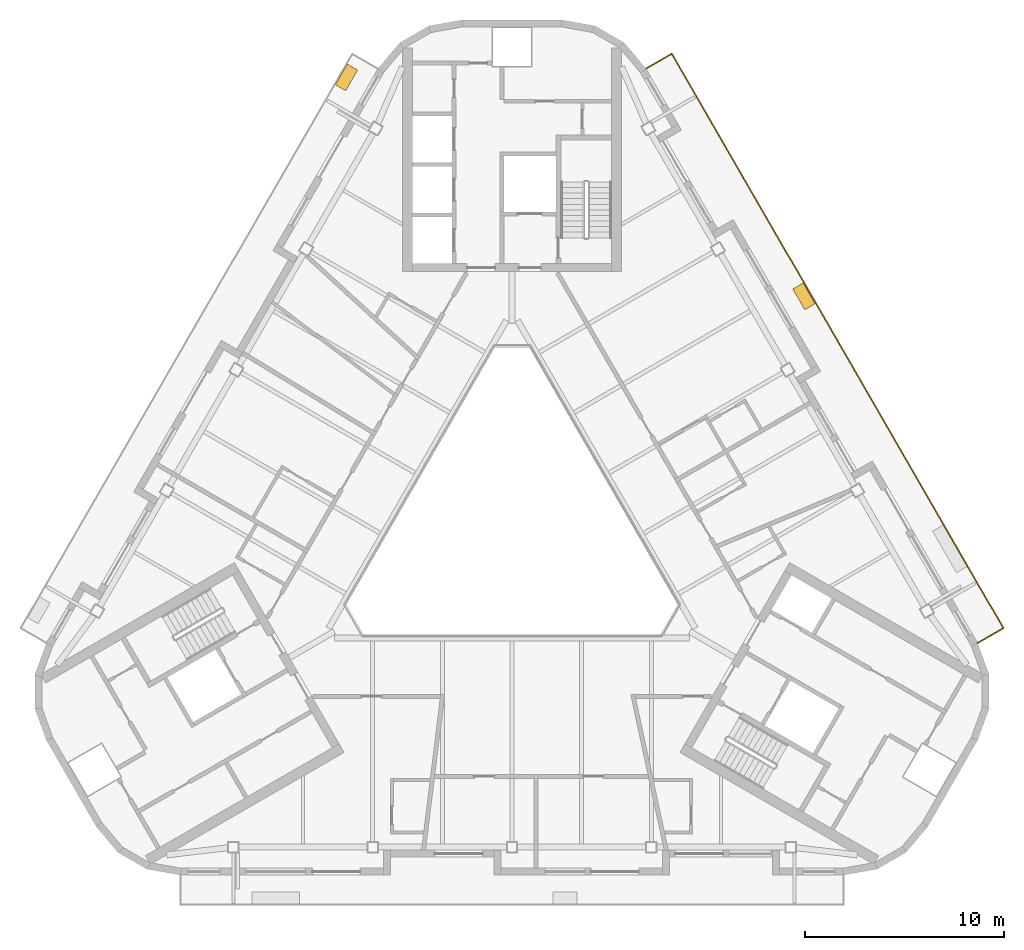
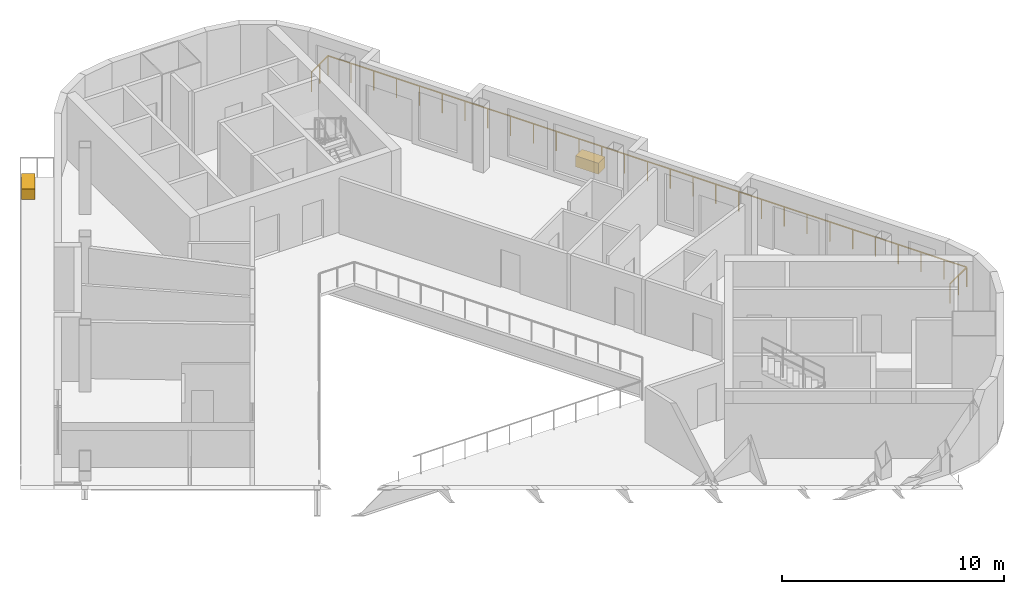
# One storey, part 11 of 12: 2 coverings, 1 railing.
"""IFC4 building model written with IfcOpenShell, lengths in metres."""

import ifcopenshell
import ifcopenshell.guid

model = None  # the IFC model being written
_history = None  # IfcOwnerHistory: only IFC2X3 demands one
_inside = {}  # id of a spatial element -> (the spatial element, [elements in it])
_under = {}  # id of a project, library or spatial element -> (it, [spatial elements below it])
_declared = {}  # id of a project -> (the project, [libraries it declares])
_typed = {}  # id of a type object -> (the type object, [elements of that type])
_made_of = {}  # id of a material, layer set ... -> (it, [elements and type objects made of it])


def new_model(schema):
    """Start an empty IFC model of exactly this schema.

    Asked for "IFC4X3", IfcOpenShell would pick the latest addendum, in which some entities
    have other attributes; the version numbers below select the first issue.
    IFC2X3 requires an IfcOwnerHistory on every rooted entity: one is made here for all.
    """
    global model, _history
    if schema == "IFC4X3":
        model = ifcopenshell.file(schema_version=(4, 3, 0, 0))
    else:
        model = ifcopenshell.file(schema=schema)
    _inside.clear()
    _under.clear()
    _declared.clear()
    _typed.clear()
    _made_of.clear()
    _history = None
    if model.schema == "IFC2X3":
        org = make("IfcOrganization", Name="unknown")
        user = make(
            "IfcPersonAndOrganization",
            ThePerson=make("IfcPerson", FamilyName="unknown"),
            TheOrganization=org,
        )
        app = make(
            "IfcApplication",
            ApplicationDeveloper=org,
            Version="unknown",
            ApplicationFullName="unknown",
            ApplicationIdentifier="unknown",
        )
        _history = make(
            "IfcOwnerHistory",
            OwningUser=user,
            OwningApplication=app,
            ChangeAction="ADDED",
            CreationDate=0,
        )
    return model


def make(cls, **values):
    """One entity of the class cls with the attributes given. An attribute that is None is left unset."""
    return model.create_entity(
        cls, **{name: value for name, value in values.items() if value is not None}
    )


def rooted(cls, **values):
    """An entity with a GlobalId (a new one), such as an element, a storey or a relation."""
    return make(cls, GlobalId=ifcopenshell.guid.new(), OwnerHistory=_history, **values)


def si_unit(unit_type, name, prefix=None):
    """IfcSIUnit, for example si_unit("LENGTHUNIT", "METRE", prefix="MILLI")."""
    return make("IfcSIUnit", UnitType=unit_type, Prefix=prefix, Name=name)


def assignment(units):
    """IfcUnitAssignment: the units of a project."""
    return None if units is None else make("IfcUnitAssignment", Units=units)


def point(xyz):
    """IfcCartesianPoint."""
    return None if xyz is None else make("IfcCartesianPoint", Coordinates=xyz)


def direction(xyz):
    """IfcDirection."""
    return None if xyz is None else make("IfcDirection", DirectionRatios=xyz)


def frame(location, z_axis=None, x_axis=None):
    """IfcAxis2Placement3D, a coordinate frame: its origin and axes. An axis left out is left unset."""
    return make(
        "IfcAxis2Placement3D",
        Location=point(location),
        Axis=direction(z_axis),
        RefDirection=direction(x_axis),
    )


def frame_2d(location, x_axis=None):
    """IfcAxis2Placement2D, a coordinate frame in the plane: its origin and x axis."""
    return make(
        "IfcAxis2Placement2D", Location=point(location), RefDirection=direction(x_axis)
    )


def origin():
    """The frame at (0, 0, 0) with its axes left unset."""
    return frame((0.0, 0.0, 0.0))


def origin_2d():
    """The frame at (0, 0) in the plane with its x axis left unset."""
    return frame_2d((0.0, 0.0))


def place(relative_to, where):
    """IfcLocalPlacement: puts the frame where relative to a parent placement (None: the world)."""
    return make(
        "IfcLocalPlacement", PlacementRelTo=relative_to, RelativePlacement=where
    )


def context(
    kind, dimensions, precision=None, world=None, true_north=None, identifier=None
):
    """IfcGeometricRepresentationContext, for example the 3D "Model" context."""
    return make(
        "IfcGeometricRepresentationContext",
        ContextIdentifier=identifier,
        ContextType=kind,
        CoordinateSpaceDimension=dimensions,
        Precision=precision,
        WorldCoordinateSystem=world,
        TrueNorth=true_north,
    )


def subcontext(parent, identifier, kind, view, scale=None):
    """IfcGeometricRepresentationSubContext, for example "Body" below "Model"."""
    return make(
        "IfcGeometricRepresentationSubContext",
        ContextIdentifier=identifier,
        ContextType=kind,
        ParentContext=parent,
        TargetScale=scale,
        TargetView=view,
    )


def project(units=None, contexts=None):
    """IfcProject with its units and contexts."""
    return rooted(
        "IfcProject",
        Name="project",
        RepresentationContexts=contexts,
        UnitsInContext=assignment(units),
    )


def spatial(cls, under=None, at=None, **own):
    """A site, building, storey or space (cls), placed at a placement, below another one or the project."""
    s = rooted(cls, ObjectPlacement=at, **own)
    if under is not None:
        _under.setdefault(under.id(), (under, []))[1].append(s)
    return s


def profile(cls, at=None, kind="AREA", **sizes):
    """A parametric profile (cls). Its sizes go by their IFC names, for example OverallWidth=200.0."""
    return make(cls, ProfileType=kind, Position=at, **sizes)


def rectangle(**sizes):
    """IfcRectangleProfileDef."""
    return profile("IfcRectangleProfileDef", **sizes)


def extrude(swept, where, along, depth):
    """IfcExtrudedAreaSolid: the profile swept, set in the frame where, extruded along a direction by depth."""
    return make(
        "IfcExtrudedAreaSolid",
        SweptArea=swept,
        Position=where,
        ExtrudedDirection=direction(along),
        Depth=depth,
    )


def shape(context_of_items, identifier, shape_type, items):
    """IfcShapeRepresentation: the items that make up one representation, for example the "Body"."""
    return make(
        "IfcShapeRepresentation",
        ContextOfItems=context_of_items,
        RepresentationIdentifier=identifier,
        RepresentationType=shape_type,
        Items=items,
    )


def material(Name=None, Category=None):
    """IfcMaterial."""
    return make("IfcMaterial", Name=Name, Category=Category)


def made_of(thing, what):
    """Note that an element or type object is made of a material, layer set ...; save() writes the relation."""
    if what is not None:
        _made_of.setdefault(what.id(), (what, []))[1].append(thing)
    return thing


def type_object(cls, material=None, **own):
    """A type object (cls), such as IfcWallType, which elements share."""
    return made_of(rooted(cls, **own), material)


def element(
    cls,
    number,
    at=None,
    inside=None,
    cuts=None,
    type_object=None,
    material=None,
    context=None,
    identifier="Body",
    shape_type=None,
    held_by="IfcProductDefinitionShape",
    body=None,
    shapes=None,
    **own,
):
    """One element of the class cls, such as IfcWall. Its Tag is "e" and its number.

    at: its placement. inside: the storey or other place that contains it. cuts: it is an
    opening in that element (IfcRelVoidsElement). A single representation is given by context,
    identifier, shape_type and body (its items); several are given by shapes. held_by: the class
    of the entity that holds the representations. save() writes the other relations.
    """
    e = rooted(cls, Tag="e%d" % number, ObjectPlacement=at, **own)
    if body is not None:
        shapes = [shape(context, identifier, shape_type, body)]
    if shapes is not None:
        e.Representation = make(held_by, Representations=shapes)
    if inside is not None:
        _inside.setdefault(inside.id(), (inside, []))[1].append(e)
    if cuts is not None:
        rooted(
            "IfcRelVoidsElement", RelatingBuildingElement=cuts, RelatedOpeningElement=e
        )
    if type_object is not None:
        _typed.setdefault(type_object.id(), (type_object, []))[1].append(e)
    return made_of(e, material)


def aggregate(whole, parts):
    """IfcRelAggregates: a whole, such as a stair, and the parts it consists of."""
    return rooted("IfcRelAggregates", RelatingObject=whole, RelatedObjects=parts)


def save(model, path):
    """Write the relations noted so far, then the file.

    IfcRelAggregates (storeys below a building ...), IfcRelContainedInSpatialStructure (elements
    in a storey), IfcRelDefinesByType, IfcRelAssociatesMaterial and IfcRelDeclares: one each for
    every whole, place, type object, material and project.
    """
    for whole, parts in _under.values():
        aggregate(whole, parts)
    for where, things in _inside.values():
        rooted(
            "IfcRelContainedInSpatialStructure",
            RelatedElements=things,
            RelatingStructure=where,
        )
    for kind, things in _typed.values():
        rooted("IfcRelDefinesByType", RelatedObjects=things, RelatingType=kind)
    for what, things in _made_of.values():
        rooted("IfcRelAssociatesMaterial", RelatedObjects=things, RelatingMaterial=what)
    for by, libraries in _declared.values():
        rooted("IfcRelDeclares", RelatingContext=by, RelatedDefinitions=libraries)
    model.write(path)


model = new_model("IFC4")

# Units and contexts
model_context = context("Model", 3, precision=1e-05, world=origin(), true_north=direction((0.0, 1.0)))
body_context = subcontext(model_context, "Body", "Model", "MODEL_VIEW")
ifc_project = project(units=[si_unit("LENGTHUNIT", "METRE"), si_unit("AREAUNIT", "SQUARE_METRE"), si_unit("VOLUMEUNIT", "CUBIC_METRE"), si_unit("PLANEANGLEUNIT", "RADIAN"), si_unit("MASSUNIT", "GRAM", prefix="KILO")], contexts=[model_context])

# Site, building, storey
site_placement = place(None, origin())
site = spatial("IfcSite", under=ifc_project, at=site_placement, CompositionType="ELEMENT")
building_placement = place(site_placement, origin())
building = spatial("IfcBuilding", under=site, at=building_placement, Name="Apuvela Tower Hotel", CompositionType="ELEMENT")
storey_placement = place(building_placement, frame((0.0, 0.0, 294.800048828125)))
storey = spatial("IfcBuildingStorey", under=building, at=storey_placement, Name="L73", CompositionType="ELEMENT", Elevation=294.800048828125)

# Railing
ifc_material_1 = material(Name="Stainless steel 316 rail with laminated glass infill", Category="steel")
railing_type = type_object("IfcRailingType", Name="ENV-GUARD-1100", PredefinedType="GUARDRAIL", material=ifc_material_1)
railing_placement = place(storey_placement, frame((23.3564453125, -5.731201171875, 0.0)))
element("IfcRailing", 1, at=railing_placement, inside=storey, type_object=railing_type, Name="Balcony guard NE L73", PredefinedType="GUARDRAIL", context=body_context, shape_type="SweptSolid", body=[
    extrude(rectangle(XDim=0.050048828125, YDim=0.050048828125, at=origin_2d()), frame((0.0, 0.0, 1.0751953125), z_axis=(0.866031096941, 0.499990139034, 0.0), x_axis=(-0.499990139034, 0.866031096941, 0.0)), (0.0, 0.0, 1.0), 1.5),
    extrude(rectangle(XDim=0.050048828125, YDim=0.050048828125, at=origin_2d()), frame((1.299072265625, 0.75, 1.0751953125), z_axis=(-0.500001623856, 0.866024466248, 0.0), x_axis=(-0.866024466248, -0.500001623856, 0.0)), (0.0, 0.0, 1.0), 33.283203125),
    extrude(rectangle(XDim=0.050048828125, YDim=0.050048828125, at=origin_2d()), frame((-15.342529296875, 29.573974609375, 1.0751953125), z_axis=(-0.866031096941, -0.499990139034, 0.0), x_axis=(0.499990139034, -0.866031096941, 0.0)), (0.0, 0.0, 1.0), 1.5),
    extrude(rectangle(XDim=0.0400390625, YDim=0.0400390625, at=origin_2d()), origin(), (0.0, 0.0, 1.0), 1.050048828125),
    extrude(rectangle(XDim=0.0400390625, YDim=0.0400390625, at=origin_2d()), frame((0.6494140625, 0.375, 0.0)), (0.0, 0.0, 1.0), 1.050048828125),
    extrude(rectangle(XDim=0.0400390625, YDim=0.0400390625, at=origin_2d()), frame((1.299072265625, 0.75, 0.0)), (0.0, 0.0, 1.0), 1.050048828125),
    extrude(rectangle(XDim=0.0400390625, YDim=0.0400390625, at=origin_2d()), frame((0.704833984375, 1.779541015625, 0.0)), (0.0, 0.0, 1.0), 1.050048828125),
    extrude(rectangle(XDim=0.0400390625, YDim=0.0400390625, at=origin_2d()), frame((0.1103515625, 2.808837890625, 0.0)), (0.0, 0.0, 1.0), 1.050048828125),
    extrude(rectangle(XDim=0.0400390625, YDim=0.0400390625, at=origin_2d()), frame((-0.48388671875, 3.83837890625, 0.0)), (0.0, 0.0, 1.0), 1.050048828125),
    extrude(rectangle(XDim=0.0400390625, YDim=0.0400390625, at=origin_2d()), frame((-1.078369140625, 4.86767578125, 0.0)), (0.0, 0.0, 1.0), 1.050048828125),
    extrude(rectangle(XDim=0.0400390625, YDim=0.0400390625, at=origin_2d()), frame((-1.672607421875, 5.897216796875, 0.0)), (0.0, 0.0, 1.0), 1.050048828125),
    extrude(rectangle(XDim=0.0400390625, YDim=0.0400390625, at=origin_2d()), frame((-2.26708984375, 6.926513671875, 0.0)), (0.0, 0.0, 1.0), 1.050048828125),
    extrude(rectangle(XDim=0.0400390625, YDim=0.0400390625, at=origin_2d()), frame((-2.861328125, 7.9560546875, 0.0)), (0.0, 0.0, 1.0), 1.050048828125),
    extrude(rectangle(XDim=0.0400390625, YDim=0.0400390625, at=origin_2d()), frame((-3.45556640625, 8.9853515625, 0.0)), (0.0, 0.0, 1.0), 1.050048828125),
    extrude(rectangle(XDim=0.0400390625, YDim=0.0400390625, at=origin_2d()), frame((-4.050048828125, 10.014892578125, 0.0)), (0.0, 0.0, 1.0), 1.050048828125),
    extrude(rectangle(XDim=0.0400390625, YDim=0.0400390625, at=origin_2d()), frame((-4.644287109375, 11.044189453125, 0.0)), (0.0, 0.0, 1.0), 1.050048828125),
    extrude(rectangle(XDim=0.0400390625, YDim=0.0400390625, at=origin_2d()), frame((-5.23876953125, 12.07373046875, 0.0)), (0.0, 0.0, 1.0), 1.050048828125),
    extrude(rectangle(XDim=0.0400390625, YDim=0.0400390625, at=origin_2d()), frame((-5.8330078125, 13.10302734375, 0.0)), (0.0, 0.0, 1.0), 1.050048828125),
    extrude(rectangle(XDim=0.0400390625, YDim=0.0400390625, at=origin_2d()), frame((-6.427490234375, 14.132568359375, 0.0)), (0.0, 0.0, 1.0), 1.050048828125),
    extrude(rectangle(XDim=0.0400390625, YDim=0.0400390625, at=origin_2d()), frame((-7.021728515625, 15.162109375, 0.0)), (0.0, 0.0, 1.0), 1.050048828125),
    extrude(rectangle(XDim=0.0400390625, YDim=0.0400390625, at=origin_2d()), frame((-7.615966796875, 16.19140625, 0.0)), (0.0, 0.0, 1.0), 1.050048828125),
    extrude(rectangle(XDim=0.0400390625, YDim=0.0400390625, at=origin_2d()), frame((-8.21044921875, 17.220947265625, 0.0)), (0.0, 0.0, 1.0), 1.050048828125),
    extrude(rectangle(XDim=0.0400390625, YDim=0.0400390625, at=origin_2d()), frame((-8.8046875, 18.250244140625, 0.0)), (0.0, 0.0, 1.0), 1.050048828125),
    extrude(rectangle(XDim=0.0400390625, YDim=0.0400390625, at=origin_2d()), frame((-9.399169921875, 19.27978515625, 0.0)), (0.0, 0.0, 1.0), 1.050048828125),
    extrude(rectangle(XDim=0.0400390625, YDim=0.0400390625, at=origin_2d()), frame((-9.993408203125, 20.30908203125, 0.0)), (0.0, 0.0, 1.0), 1.050048828125),
    extrude(rectangle(XDim=0.0400390625, YDim=0.0400390625, at=origin_2d()), frame((-10.587890625, 21.338623046875, 0.0)), (0.0, 0.0, 1.0), 1.050048828125),
    extrude(rectangle(XDim=0.0400390625, YDim=0.0400390625, at=origin_2d()), frame((-11.18212890625, 22.367919921875, 0.0)), (0.0, 0.0, 1.0), 1.050048828125),
    extrude(rectangle(XDim=0.0400390625, YDim=0.0400390625, at=origin_2d()), frame((-11.7763671875, 23.3974609375, 0.0)), (0.0, 0.0, 1.0), 1.050048828125),
    extrude(rectangle(XDim=0.0400390625, YDim=0.0400390625, at=origin_2d()), frame((-12.370849609375, 24.4267578125, 0.0)), (0.0, 0.0, 1.0), 1.050048828125),
    extrude(rectangle(XDim=0.0400390625, YDim=0.0400390625, at=origin_2d()), frame((-12.965087890625, 25.456298828125, 0.0)), (0.0, 0.0, 1.0), 1.050048828125),
    extrude(rectangle(XDim=0.0400390625, YDim=0.0400390625, at=origin_2d()), frame((-13.5595703125, 26.485595703125, 0.0)), (0.0, 0.0, 1.0), 1.050048828125),
    extrude(rectangle(XDim=0.0400390625, YDim=0.0400390625, at=origin_2d()), frame((-14.15380859375, 27.51513671875, 0.0)), (0.0, 0.0, 1.0), 1.050048828125),
    extrude(rectangle(XDim=0.0400390625, YDim=0.0400390625, at=origin_2d()), frame((-14.748291015625, 28.54443359375, 0.0)), (0.0, 0.0, 1.0), 1.050048828125),
    extrude(rectangle(XDim=0.0400390625, YDim=0.0400390625, at=origin_2d()), frame((-15.342529296875, 29.573974609375, 0.0)), (0.0, 0.0, 1.0), 1.050048828125),
    extrude(rectangle(XDim=0.0400390625, YDim=0.0400390625, at=origin_2d()), frame((-15.9921875, 29.198974609375, 0.0)), (0.0, 0.0, 1.0), 1.050048828125),
    extrude(rectangle(XDim=0.0400390625, YDim=0.0400390625, at=origin_2d()), frame((-16.6416015625, 28.823974609375, 0.0)), (0.0, 0.0, 1.0), 1.050048828125),
])

# Coverings
ifc_material_2 = material(Name="Planting substrate and soil, planted")
covering_type = type_object("IfcCoveringType", Name="ENV-PLANTER-1200x600", PredefinedType="USERDEFINED", material=ifc_material_2)
for number, where, z_axis, x_axis, name in (
    (2, (14.64208984375, 11.66259765625, 0.0), (0.0, 0.0, 1.0), (-0.5, 0.866025403784, 0.0), "Planter NE4"),
    (3, (-8.30078125, 22.645751953125, 0.0), (0.0, 0.0, 1.0), (-0.5, -0.866025403784, 0.0), "Planter NW5"),
):
    element("IfcCovering", number, at=place(storey_placement, frame(where, z_axis=z_axis, x_axis=x_axis)), inside=storey, type_object=covering_type, Name=name, ObjectType="PLANTER", PredefinedType="USERDEFINED", context=body_context, shape_type="SweptSolid", body=[
        extrude(rectangle(XDim=1.199951171875, YDim=0.60009765625, at=origin_2d()), origin(), (0.0, 0.0, 1.0), 0.60009765625),
    ])

save(model, "model.ifc")
